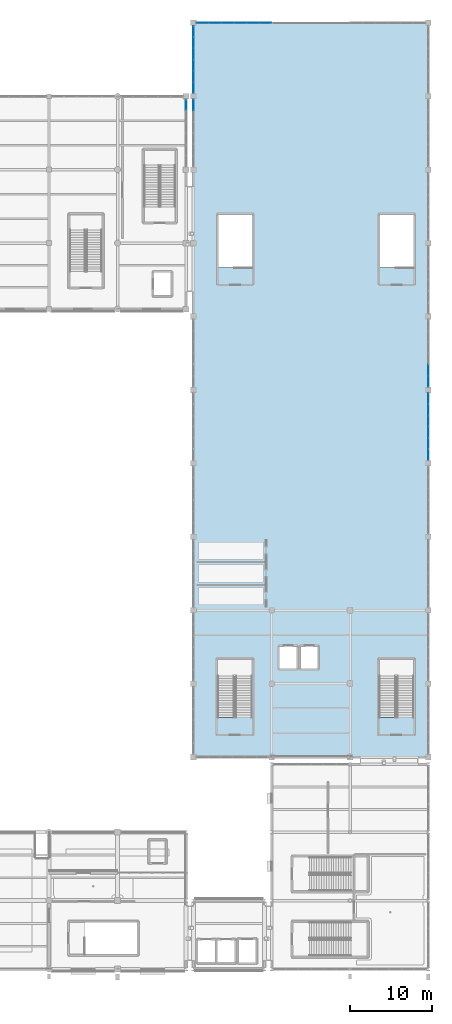
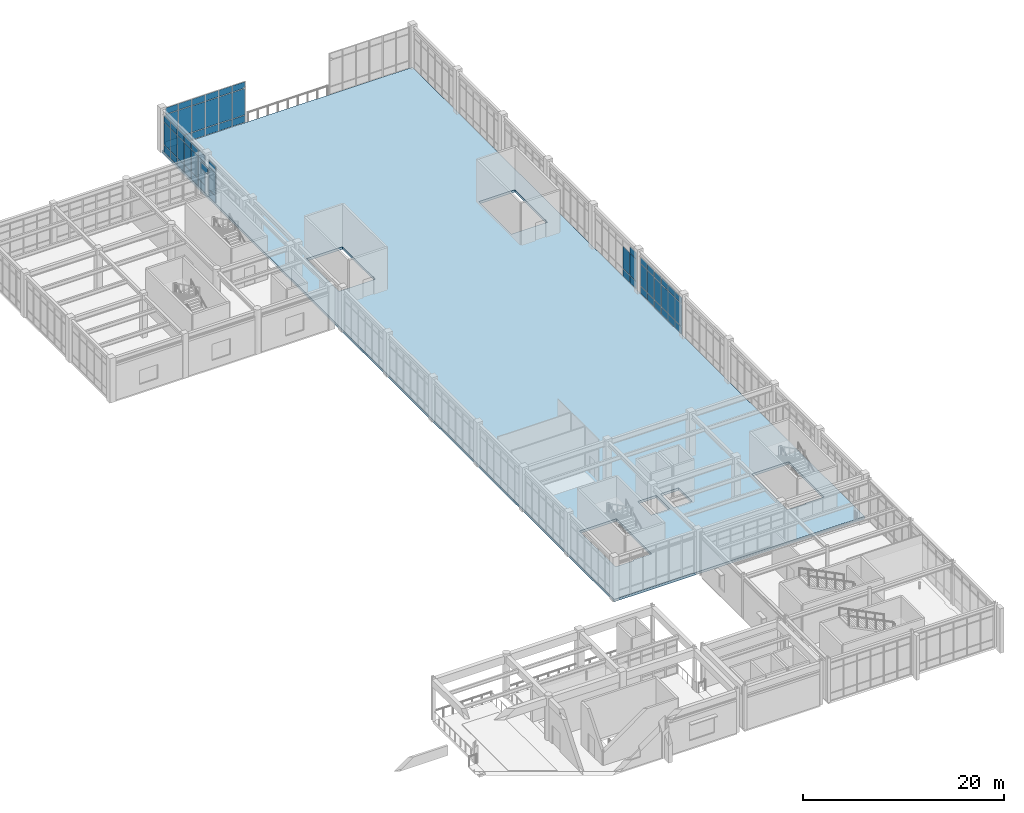
# One storey, part 62 of 80: 63 plates, 1 slab, 6 elements without a shape of their own.
"""IFC4 building model written with IfcOpenShell, lengths in metres."""

from ifc_helpers import new_model, si_unit, direction, frame, origin, origin_2d, place, context, subcontext, project, spatial, polyline, rectangle, outline, extrude, material, layer, layer_set, type_object, element, aggregate, save


model = new_model("IFC4")

# Units and contexts
model_context = context("Model", 3, precision=1e-05, world=origin(), true_north=direction((0.0, 1.0)))
body_context = subcontext(model_context, "Body", "Model", "MODEL_VIEW")
ifc_project = project(units=[si_unit("LENGTHUNIT", "METRE"), si_unit("AREAUNIT", "SQUARE_METRE"), si_unit("VOLUMEUNIT", "CUBIC_METRE"), si_unit("PLANEANGLEUNIT", "RADIAN"), si_unit("MASSUNIT", "GRAM", prefix="KILO")], contexts=[model_context])

# Site, building, storey
site_placement = place(None, origin())
site = spatial("IfcSite", under=ifc_project, at=site_placement, CompositionType="ELEMENT")
building_placement = place(site_placement, origin())
building = spatial("IfcBuilding", under=site, at=building_placement, Name="Canglan Escarpment Cableway Terminal", CompositionType="ELEMENT")
storey_placement = place(building_placement, frame((0.0, 0.0, 19.199951171875)))
storey = spatial("IfcBuildingStorey", under=building, at=storey_placement, Name="L04", CompositionType="ELEMENT", Elevation=19.199951171875)

# Curtain wall, plates
ifc_material_1 = material(Name="Anodized bronze aluminium and Low-E double glazing", Category="aluminium")
curtain_wall_type_1 = type_object("IfcCurtainWallType", Name="CW-BAY-8300x4550", PredefinedType="NOTDEFINED", material=ifc_material_1)
curtain_wall_1_placement = place(storey_placement, origin())
curtain_wall_1 = element("IfcCurtainWall", 1, at=curtain_wall_1_placement, inside=storey, type_object=curtain_wall_type_1, Name="Classical bay-between-piers glazed curtain wall CW-64", PredefinedType="NOTDEFINED")
ifc_material_2 = material(Name="Double-silver Low-E laminated insulating glass", Category="glass")
ifc_layer_1 = layer(ifc_material_2, 0.028076171875, Name="Double-silver Low-E laminated insulating glass")
ifc_layer_set_1 = layer_set([ifc_layer_1], Name="Double-silver Low-E laminated insulating glass")
plate_type_1 = type_object("IfcPlateType", Name="CWP-02", PredefinedType="CURTAIN_PANEL", material=ifc_layer_set_1)
plate_1_placement = place(storey_placement, frame((166.39990234375, 71.057861328125, 0.06494140625), z_axis=(0.0, 0.0, 1.0), x_axis=(0.0, 1.0, 0.0)))
plate_1 = element("IfcPlate", 2, at=plate_1_placement, type_object=plate_type_1, Name="CW-64 panel 1.1", PredefinedType="CURTAIN_PANEL", context=body_context, shape_type="SweptSolid", body=[
    extrude(rectangle(XDim=1.285888671875, YDim=0.028076171875, at=origin_2d()), origin(), (0.0, 0.0, 1.0), 0.8525390625),
])
plate_2_placement = place(storey_placement, frame((166.39990234375, 71.057861328125, 0.982421875), z_axis=(0.0, 0.0, 1.0), x_axis=(0.0, 1.0, 0.0)))
plate_2 = element("IfcPlate", 3, at=plate_2_placement, type_object=plate_type_1, Name="CW-64 panel 1.2", PredefinedType="CURTAIN_PANEL", context=body_context, shape_type="SweptSolid", body=[
    extrude(rectangle(XDim=1.285888671875, YDim=0.028076171875, at=origin_2d()), origin(), (0.0, 0.0, 1.0), 2.68603515625),
])
plate_3_placement = place(storey_placement, frame((166.39990234375, 71.057861328125, 3.733642578125), z_axis=(0.0, 0.0, 1.0), x_axis=(0.0, 1.0, 0.0)))
plate_3 = element("IfcPlate", 4, at=plate_3_placement, type_object=plate_type_1, Name="CW-64 panel 1.3", PredefinedType="CURTAIN_PANEL", context=body_context, shape_type="SweptSolid", body=[
    extrude(rectangle(XDim=1.285888671875, YDim=0.028076171875, at=origin_2d()), origin(), (0.0, 0.0, 1.0), 0.75244140625),
])
plate_4_placement = place(storey_placement, frame((166.39990234375, 72.425048828125, 0.06494140625), z_axis=(0.0, 0.0, 1.0), x_axis=(0.0, 1.0, 0.0)))
plate_4 = element("IfcPlate", 5, at=plate_4_placement, type_object=plate_type_1, Name="CW-64 panel 2.1", PredefinedType="CURTAIN_PANEL", context=body_context, shape_type="SweptSolid", body=[
    extrude(rectangle(XDim=1.318359375, YDim=0.028076171875, at=origin_2d()), origin(), (0.0, 0.0, 1.0), 0.8525390625),
])
plate_5_placement = place(storey_placement, frame((166.39990234375, 72.425048828125, 0.982421875), z_axis=(0.0, 0.0, 1.0), x_axis=(0.0, 1.0, 0.0)))
plate_5 = element("IfcPlate", 6, at=plate_5_placement, type_object=plate_type_1, Name="CW-64 panel 2.2", PredefinedType="CURTAIN_PANEL", context=body_context, shape_type="SweptSolid", body=[
    extrude(rectangle(XDim=1.318359375, YDim=0.028076171875, at=origin_2d()), origin(), (0.0, 0.0, 1.0), 2.68603515625),
])
plate_6_placement = place(storey_placement, frame((166.39990234375, 72.425048828125, 3.733642578125), z_axis=(0.0, 0.0, 1.0), x_axis=(0.0, 1.0, 0.0)))
plate_6 = element("IfcPlate", 7, at=plate_6_placement, type_object=plate_type_1, Name="CW-64 panel 2.3", PredefinedType="CURTAIN_PANEL", context=body_context, shape_type="SweptSolid", body=[
    extrude(rectangle(XDim=1.318359375, YDim=0.028076171875, at=origin_2d()), origin(), (0.0, 0.0, 1.0), 0.75244140625),
])
plate_7_placement = place(storey_placement, frame((166.39990234375, 73.808349609375, 0.06494140625), z_axis=(0.0, 0.0, 1.0), x_axis=(0.0, 1.0, 0.0)))
plate_7 = element("IfcPlate", 8, at=plate_7_placement, type_object=plate_type_1, Name="CW-64 panel 3.1", PredefinedType="CURTAIN_PANEL", context=body_context, shape_type="SweptSolid", body=[
    extrude(rectangle(XDim=1.318359375, YDim=0.028076171875, at=origin_2d()), origin(), (0.0, 0.0, 1.0), 0.8525390625),
])
plate_8_placement = place(storey_placement, frame((166.39990234375, 73.808349609375, 0.982421875), z_axis=(0.0, 0.0, 1.0), x_axis=(0.0, 1.0, 0.0)))
plate_8 = element("IfcPlate", 9, at=plate_8_placement, type_object=plate_type_1, Name="CW-64 panel 3.2", PredefinedType="CURTAIN_PANEL", context=body_context, shape_type="SweptSolid", body=[
    extrude(rectangle(XDim=1.318359375, YDim=0.028076171875, at=origin_2d()), origin(), (0.0, 0.0, 1.0), 2.68603515625),
])
plate_9_placement = place(storey_placement, frame((166.39990234375, 73.808349609375, 3.733642578125), z_axis=(0.0, 0.0, 1.0), x_axis=(0.0, 1.0, 0.0)))
plate_9 = element("IfcPlate", 10, at=plate_9_placement, type_object=plate_type_1, Name="CW-64 panel 3.3", PredefinedType="CURTAIN_PANEL", context=body_context, shape_type="SweptSolid", body=[
    extrude(rectangle(XDim=1.318359375, YDim=0.028076171875, at=origin_2d()), origin(), (0.0, 0.0, 1.0), 0.75244140625),
])
plate_10_placement = place(storey_placement, frame((166.39990234375, 75.191650390625, 0.06494140625), z_axis=(0.0, 0.0, 1.0), x_axis=(0.0, 1.0, 0.0)))
plate_10 = element("IfcPlate", 11, at=plate_10_placement, type_object=plate_type_1, Name="CW-64 panel 4.1", PredefinedType="CURTAIN_PANEL", context=body_context, shape_type="SweptSolid", body=[
    extrude(rectangle(XDim=1.318359375, YDim=0.028076171875, at=origin_2d()), origin(), (0.0, 0.0, 1.0), 0.8525390625),
])
plate_11_placement = place(storey_placement, frame((166.39990234375, 75.191650390625, 0.982421875), z_axis=(0.0, 0.0, 1.0), x_axis=(0.0, 1.0, 0.0)))
plate_11 = element("IfcPlate", 12, at=plate_11_placement, type_object=plate_type_1, Name="CW-64 panel 4.2", PredefinedType="CURTAIN_PANEL", context=body_context, shape_type="SweptSolid", body=[
    extrude(rectangle(XDim=1.318359375, YDim=0.028076171875, at=origin_2d()), origin(), (0.0, 0.0, 1.0), 2.68603515625),
])
plate_12_placement = place(storey_placement, frame((166.39990234375, 75.191650390625, 3.733642578125), z_axis=(0.0, 0.0, 1.0), x_axis=(0.0, 1.0, 0.0)))
plate_12 = element("IfcPlate", 13, at=plate_12_placement, type_object=plate_type_1, Name="CW-64 panel 4.3", PredefinedType="CURTAIN_PANEL", context=body_context, shape_type="SweptSolid", body=[
    extrude(rectangle(XDim=1.318359375, YDim=0.028076171875, at=origin_2d()), origin(), (0.0, 0.0, 1.0), 0.75244140625),
])
plate_13_placement = place(storey_placement, frame((166.39990234375, 76.574951171875, 0.06494140625), z_axis=(0.0, 0.0, 1.0), x_axis=(0.0, 1.0, 0.0)))
plate_13 = element("IfcPlate", 14, at=plate_13_placement, type_object=plate_type_1, Name="CW-64 panel 5.1", PredefinedType="CURTAIN_PANEL", context=body_context, shape_type="SweptSolid", body=[
    extrude(rectangle(XDim=1.318359375, YDim=0.028076171875, at=origin_2d()), origin(), (0.0, 0.0, 1.0), 0.8525390625),
])
plate_14_placement = place(storey_placement, frame((166.39990234375, 76.574951171875, 0.982421875), z_axis=(0.0, 0.0, 1.0), x_axis=(0.0, 1.0, 0.0)))
plate_14 = element("IfcPlate", 15, at=plate_14_placement, type_object=plate_type_1, Name="CW-64 panel 5.2", PredefinedType="CURTAIN_PANEL", context=body_context, shape_type="SweptSolid", body=[
    extrude(rectangle(XDim=1.318359375, YDim=0.028076171875, at=origin_2d()), origin(), (0.0, 0.0, 1.0), 2.68603515625),
])
plate_15_placement = place(storey_placement, frame((166.39990234375, 76.574951171875, 3.733642578125), z_axis=(0.0, 0.0, 1.0), x_axis=(0.0, 1.0, 0.0)))
plate_15 = element("IfcPlate", 16, at=plate_15_placement, type_object=plate_type_1, Name="CW-64 panel 5.3", PredefinedType="CURTAIN_PANEL", context=body_context, shape_type="SweptSolid", body=[
    extrude(rectangle(XDim=1.318359375, YDim=0.028076171875, at=origin_2d()), origin(), (0.0, 0.0, 1.0), 0.75244140625),
])
plate_16_placement = place(storey_placement, frame((166.39990234375, 77.942138671875, 0.06494140625), z_axis=(0.0, 0.0, 1.0), x_axis=(0.0, 1.0, 0.0)))
plate_16 = element("IfcPlate", 17, at=plate_16_placement, type_object=plate_type_1, Name="CW-64 panel 6.1", PredefinedType="CURTAIN_PANEL", context=body_context, shape_type="SweptSolid", body=[
    extrude(rectangle(XDim=1.285888671875, YDim=0.028076171875, at=origin_2d()), origin(), (0.0, 0.0, 1.0), 0.8525390625),
])
plate_17_placement = place(storey_placement, frame((166.39990234375, 77.942138671875, 0.982421875), z_axis=(0.0, 0.0, 1.0), x_axis=(0.0, 1.0, 0.0)))
plate_17 = element("IfcPlate", 18, at=plate_17_placement, type_object=plate_type_1, Name="CW-64 panel 6.2", PredefinedType="CURTAIN_PANEL", context=body_context, shape_type="SweptSolid", body=[
    extrude(rectangle(XDim=1.285888671875, YDim=0.028076171875, at=origin_2d()), origin(), (0.0, 0.0, 1.0), 2.68603515625),
])
plate_18_placement = place(storey_placement, frame((166.39990234375, 77.942138671875, 3.733642578125), z_axis=(0.0, 0.0, 1.0), x_axis=(0.0, 1.0, 0.0)))
plate_18 = element("IfcPlate", 19, at=plate_18_placement, type_object=plate_type_1, Name="CW-64 panel 6.3", PredefinedType="CURTAIN_PANEL", context=body_context, shape_type="SweptSolid", body=[
    extrude(rectangle(XDim=1.285888671875, YDim=0.028076171875, at=origin_2d()), origin(), (0.0, 0.0, 1.0), 0.75244140625),
])
aggregate(curtain_wall_1, [plate_1, plate_2, plate_3, plate_4, plate_5, plate_6, plate_7, plate_8, plate_9, plate_10, plate_11, plate_12, plate_13, plate_14, plate_15, plate_16, plate_17, plate_18])

curtain_wall_type_2 = type_object("IfcCurtainWallType", Name="CW-BAY-9250x5050", PredefinedType="NOTDEFINED", material=ifc_material_1)
curtain_wall_2_placement = place(storey_placement, origin())
curtain_wall_2 = element("IfcCurtainWall", 20, at=curtain_wall_2_placement, inside=storey, type_object=curtain_wall_type_2, Name="Classical bay-between-piers glazed curtain wall CW-40", PredefinedType="NOTDEFINED")
plate_19_placement = place(storey_placement, frame((146.412841796875, 124.0, 0.06005859375), z_axis=(0.0, 0.0, 1.0), x_axis=(-1.0, 0.0, 0.0)))
plate_19 = element("IfcPlate", 21, at=plate_19_placement, type_object=plate_type_1, Name="CW-40 panel 1.1", PredefinedType="CURTAIN_PANEL", context=body_context, shape_type="SweptSolid", body=[
    extrude(rectangle(XDim=1.444091796875, YDim=0.028076171875, at=origin_2d()), origin(), (0.0, 0.0, 1.0), 0.860107421875),
])
plate_20_placement = place(storey_placement, frame((146.412841796875, 124.0, 0.97998046875), z_axis=(0.0, 0.0, 1.0), x_axis=(-1.0, 0.0, 0.0)))
plate_20 = element("IfcPlate", 22, at=plate_20_placement, type_object=plate_type_1, Name="CW-40 panel 1.2", PredefinedType="CURTAIN_PANEL", context=body_context, shape_type="SweptSolid", body=[
    extrude(rectangle(XDim=1.444091796875, YDim=0.028076171875, at=origin_2d()), origin(), (0.0, 0.0, 1.0), 3.18994140625),
])
plate_21_placement = place(storey_placement, frame((146.412841796875, 124.0, 4.22998046875), z_axis=(0.0, 0.0, 1.0), x_axis=(-1.0, 0.0, 0.0)))
plate_21 = element("IfcPlate", 23, at=plate_21_placement, type_object=plate_type_1, Name="CW-40 panel 1.3", PredefinedType="CURTAIN_PANEL", context=body_context, shape_type="SweptSolid", body=[
    extrude(rectangle(XDim=1.444091796875, YDim=0.028076171875, at=origin_2d()), origin(), (0.0, 0.0, 1.0), 0.760009765625),
])
plate_22_placement = place(storey_placement, frame((144.887451171875, 124.0, 0.06005859375), z_axis=(0.0, 0.0, 1.0), x_axis=(-1.0, 0.0, 0.0)))
plate_22 = element("IfcPlate", 24, at=plate_22_placement, type_object=plate_type_1, Name="CW-40 panel 2.1", PredefinedType="CURTAIN_PANEL", context=body_context, shape_type="SweptSolid", body=[
    extrude(rectangle(XDim=1.4765625, YDim=0.028076171875, at=origin_2d()), origin(), (0.0, 0.0, 1.0), 0.860107421875),
])
plate_23_placement = place(storey_placement, frame((144.887451171875, 124.0, 0.97998046875), z_axis=(0.0, 0.0, 1.0), x_axis=(-1.0, 0.0, 0.0)))
plate_23 = element("IfcPlate", 25, at=plate_23_placement, type_object=plate_type_1, Name="CW-40 panel 2.2", PredefinedType="CURTAIN_PANEL", context=body_context, shape_type="SweptSolid", body=[
    extrude(rectangle(XDim=1.4765625, YDim=0.028076171875, at=origin_2d()), origin(), (0.0, 0.0, 1.0), 3.18994140625),
])
plate_24_placement = place(storey_placement, frame((144.887451171875, 124.0, 4.22998046875), z_axis=(0.0, 0.0, 1.0), x_axis=(-1.0, 0.0, 0.0)))
plate_24 = element("IfcPlate", 26, at=plate_24_placement, type_object=plate_type_1, Name="CW-40 panel 2.3", PredefinedType="CURTAIN_PANEL", context=body_context, shape_type="SweptSolid", body=[
    extrude(rectangle(XDim=1.4765625, YDim=0.028076171875, at=origin_2d()), origin(), (0.0, 0.0, 1.0), 0.760009765625),
])
plate_25_placement = place(storey_placement, frame((143.345947265625, 124.0, 0.06005859375), z_axis=(0.0, 0.0, 1.0), x_axis=(-1.0, 0.0, 0.0)))
plate_25 = element("IfcPlate", 27, at=plate_25_placement, type_object=plate_type_1, Name="CW-40 panel 3.1", PredefinedType="CURTAIN_PANEL", context=body_context, shape_type="SweptSolid", body=[
    extrude(rectangle(XDim=1.4765625, YDim=0.028076171875, at=origin_2d()), origin(), (0.0, 0.0, 1.0), 0.860107421875),
])
plate_26_placement = place(storey_placement, frame((143.345947265625, 124.0, 0.97998046875), z_axis=(0.0, 0.0, 1.0), x_axis=(-1.0, 0.0, 0.0)))
plate_26 = element("IfcPlate", 28, at=plate_26_placement, type_object=plate_type_1, Name="CW-40 panel 3.2", PredefinedType="CURTAIN_PANEL", context=body_context, shape_type="SweptSolid", body=[
    extrude(rectangle(XDim=1.4765625, YDim=0.028076171875, at=origin_2d()), origin(), (0.0, 0.0, 1.0), 3.18994140625),
])
plate_27_placement = place(storey_placement, frame((143.345947265625, 124.0, 4.22998046875), z_axis=(0.0, 0.0, 1.0), x_axis=(-1.0, 0.0, 0.0)))
plate_27 = element("IfcPlate", 29, at=plate_27_placement, type_object=plate_type_1, Name="CW-40 panel 3.3", PredefinedType="CURTAIN_PANEL", context=body_context, shape_type="SweptSolid", body=[
    extrude(rectangle(XDim=1.4765625, YDim=0.028076171875, at=origin_2d()), origin(), (0.0, 0.0, 1.0), 0.760009765625),
])
plate_28_placement = place(storey_placement, frame((141.80419921875, 124.0, 0.06005859375), z_axis=(0.0, 0.0, 1.0), x_axis=(-1.0, 0.0, 0.0)))
plate_28 = element("IfcPlate", 30, at=plate_28_placement, type_object=plate_type_1, Name="CW-40 panel 4.1", PredefinedType="CURTAIN_PANEL", context=body_context, shape_type="SweptSolid", body=[
    extrude(rectangle(XDim=1.4765625, YDim=0.028076171875, at=origin_2d()), origin(), (0.0, 0.0, 1.0), 0.860107421875),
])
plate_29_placement = place(storey_placement, frame((141.80419921875, 124.0, 0.97998046875), z_axis=(0.0, 0.0, 1.0), x_axis=(-1.0, 0.0, 0.0)))
plate_29 = element("IfcPlate", 31, at=plate_29_placement, type_object=plate_type_1, Name="CW-40 panel 4.2", PredefinedType="CURTAIN_PANEL", context=body_context, shape_type="SweptSolid", body=[
    extrude(rectangle(XDim=1.4765625, YDim=0.028076171875, at=origin_2d()), origin(), (0.0, 0.0, 1.0), 3.18994140625),
])
plate_30_placement = place(storey_placement, frame((141.80419921875, 124.0, 4.22998046875), z_axis=(0.0, 0.0, 1.0), x_axis=(-1.0, 0.0, 0.0)))
plate_30 = element("IfcPlate", 32, at=plate_30_placement, type_object=plate_type_1, Name="CW-40 panel 4.3", PredefinedType="CURTAIN_PANEL", context=body_context, shape_type="SweptSolid", body=[
    extrude(rectangle(XDim=1.4765625, YDim=0.028076171875, at=origin_2d()), origin(), (0.0, 0.0, 1.0), 0.760009765625),
])
plate_31_placement = place(storey_placement, frame((140.262451171875, 124.0, 0.06005859375), z_axis=(0.0, 0.0, 1.0), x_axis=(-1.0, 0.0, 0.0)))
plate_31 = element("IfcPlate", 33, at=plate_31_placement, type_object=plate_type_1, Name="CW-40 panel 5.1", PredefinedType="CURTAIN_PANEL", context=body_context, shape_type="SweptSolid", body=[
    extrude(rectangle(XDim=1.4765625, YDim=0.028076171875, at=origin_2d()), origin(), (0.0, 0.0, 1.0), 0.860107421875),
])
plate_32_placement = place(storey_placement, frame((140.262451171875, 124.0, 0.97998046875), z_axis=(0.0, 0.0, 1.0), x_axis=(-1.0, 0.0, 0.0)))
plate_32 = element("IfcPlate", 34, at=plate_32_placement, type_object=plate_type_1, Name="CW-40 panel 5.2", PredefinedType="CURTAIN_PANEL", context=body_context, shape_type="SweptSolid", body=[
    extrude(rectangle(XDim=1.4765625, YDim=0.028076171875, at=origin_2d()), origin(), (0.0, 0.0, 1.0), 3.18994140625),
])
plate_33_placement = place(storey_placement, frame((140.262451171875, 124.0, 4.22998046875), z_axis=(0.0, 0.0, 1.0), x_axis=(-1.0, 0.0, 0.0)))
plate_33 = element("IfcPlate", 35, at=plate_33_placement, type_object=plate_type_1, Name="CW-40 panel 5.3", PredefinedType="CURTAIN_PANEL", context=body_context, shape_type="SweptSolid", body=[
    extrude(rectangle(XDim=1.4765625, YDim=0.028076171875, at=origin_2d()), origin(), (0.0, 0.0, 1.0), 0.760009765625),
])
plate_34_placement = place(storey_placement, frame((138.737060546875, 124.0, 0.06005859375), z_axis=(0.0, 0.0, 1.0), x_axis=(-1.0, 0.0, 0.0)))
plate_34 = element("IfcPlate", 36, at=plate_34_placement, type_object=plate_type_1, Name="CW-40 panel 6.1", PredefinedType="CURTAIN_PANEL", context=body_context, shape_type="SweptSolid", body=[
    extrude(rectangle(XDim=1.444091796875, YDim=0.028076171875, at=origin_2d()), origin(), (0.0, 0.0, 1.0), 0.860107421875),
])
plate_35_placement = place(storey_placement, frame((138.737060546875, 124.0, 0.97998046875), z_axis=(0.0, 0.0, 1.0), x_axis=(-1.0, 0.0, 0.0)))
plate_35 = element("IfcPlate", 37, at=plate_35_placement, type_object=plate_type_1, Name="CW-40 panel 6.2", PredefinedType="CURTAIN_PANEL", context=body_context, shape_type="SweptSolid", body=[
    extrude(rectangle(XDim=1.444091796875, YDim=0.028076171875, at=origin_2d()), origin(), (0.0, 0.0, 1.0), 3.18994140625),
])
plate_36_placement = place(storey_placement, frame((138.737060546875, 124.0, 4.22998046875), z_axis=(0.0, 0.0, 1.0), x_axis=(-1.0, 0.0, 0.0)))
plate_36 = element("IfcPlate", 38, at=plate_36_placement, type_object=plate_type_1, Name="CW-40 panel 6.3", PredefinedType="CURTAIN_PANEL", context=body_context, shape_type="SweptSolid", body=[
    extrude(rectangle(XDim=1.444091796875, YDim=0.028076171875, at=origin_2d()), origin(), (0.0, 0.0, 1.0), 0.760009765625),
])
aggregate(curtain_wall_2, [plate_19, plate_20, plate_21, plate_22, plate_23, plate_24, plate_25, plate_26, plate_27, plate_28, plate_29, plate_30, plate_31, plate_32, plate_33, plate_34, plate_35, plate_36])

curtain_wall_3_placement = place(storey_placement, origin())
curtain_wall_3 = element("IfcCurtainWall", 39, at=curtain_wall_3_placement, inside=storey, type_object=curtain_wall_type_1, Name="Classical bay-between-piers glazed curtain wall CW-64", PredefinedType="NOTDEFINED")
plate_37_placement = place(storey_placement, frame((137.60009765625, 113.943359375, 0.05517578125), z_axis=(0.0, 0.0, 1.0), x_axis=(0.0, -1.0, 0.0)))
plate_37 = element("IfcPlate", 40, at=plate_37_placement, type_object=plate_type_1, Name="CW-64 panel 1.1", PredefinedType="CURTAIN_PANEL", context=body_context, shape_type="SweptSolid", body=[
    extrude(rectangle(XDim=1.293212890625, YDim=0.028076171875, at=origin_2d()), origin(), (0.0, 0.0, 1.0), 0.867431640625),
])
plate_38_placement = place(storey_placement, frame((137.60009765625, 113.943359375, 0.9775390625), z_axis=(0.0, 0.0, 1.0), x_axis=(0.0, -1.0, 0.0)))
plate_38 = element("IfcPlate", 41, at=plate_38_placement, type_object=plate_type_1, Name="CW-64 panel 1.2", PredefinedType="CURTAIN_PANEL", context=body_context, shape_type="SweptSolid", body=[
    extrude(rectangle(XDim=1.293212890625, YDim=0.028076171875, at=origin_2d()), origin(), (0.0, 0.0, 1.0), 2.696044921875),
])
plate_39_placement = place(storey_placement, frame((137.60009765625, 113.943359375, 3.728515625), z_axis=(0.0, 0.0, 1.0), x_axis=(0.0, -1.0, 0.0)))
plate_39 = element("IfcPlate", 42, at=plate_39_placement, type_object=plate_type_1, Name="CW-64 panel 1.3", PredefinedType="CURTAIN_PANEL", context=body_context, shape_type="SweptSolid", body=[
    extrude(rectangle(XDim=1.293212890625, YDim=0.028076171875, at=origin_2d()), origin(), (0.0, 0.0, 1.0), 0.767578125),
])
aggregate(curtain_wall_3, [plate_37, plate_38, plate_39])

# Curtain wall, plate
curtain_wall_type_3 = type_object("IfcCurtainWallType", Name="CW-BAY-8300x4650", PredefinedType="NOTDEFINED", material=ifc_material_1)
curtain_wall_4_placement = place(storey_placement, origin())
curtain_wall_4 = element("IfcCurtainWall", 43, at=curtain_wall_4_placement, inside=storey, type_object=curtain_wall_type_3, Name="Classical bay-between-piers glazed curtain wall CW-51", PredefinedType="NOTDEFINED")
ifc_layer_2 = layer(ifc_material_2, 0.031982421875, Name="Double-silver Low-E laminated insulating glass")
ifc_layer_set_2 = layer_set([ifc_layer_2], Name="Double-silver Low-E laminated insulating glass")
plate_type_2 = type_object("IfcPlateType", Name="CWP-03", PredefinedType="CURTAIN_PANEL", material=ifc_layer_set_2)
plate_40_placement = place(storey_placement, frame((136.699951171875, 113.942138671875, 3.839599609375), z_axis=(0.0, 0.0, 1.0), x_axis=(0.0, 1.0, 0.0)))
plate_40 = element("IfcPlate", 44, at=plate_40_placement, type_object=plate_type_2, Name="CW-51 panel 6.3", PredefinedType="CURTAIN_PANEL", context=body_context, shape_type="SweptSolid", body=[
    extrude(rectangle(XDim=1.285888671875, YDim=0.031982421875, at=origin_2d()), origin(), (0.0, 0.0, 1.0), 0.75244140625),
])
aggregate(curtain_wall_4, [plate_40])

# Curtain wall, plates
curtain_wall_5_placement = place(storey_placement, origin())
curtain_wall_5 = element("IfcCurtainWall", 45, at=curtain_wall_5_placement, inside=storey, type_object=curtain_wall_type_1, Name="Classical bay-between-piers glazed curtain wall CW-64", PredefinedType="NOTDEFINED")
plate_41_placement = place(storey_placement, frame((166.39990234375, 80.056640625, 0.05517578125), z_axis=(0.0, 0.0, 1.0), x_axis=(0.0, 1.0, 0.0)))
plate_41 = element("IfcPlate", 46, at=plate_41_placement, type_object=plate_type_2, Name="CW-64 panel 1.1", PredefinedType="CURTAIN_PANEL", context=body_context, shape_type="SweptSolid", body=[
    extrude(rectangle(XDim=1.293212890625, YDim=0.031982421875, at=origin_2d()), origin(), (0.0, 0.0, 1.0), 0.867431640625),
])
plate_42_placement = place(storey_placement, frame((166.39990234375, 80.056640625, 0.9775390625), z_axis=(0.0, 0.0, 1.0), x_axis=(0.0, 1.0, 0.0)))
plate_42 = element("IfcPlate", 47, at=plate_42_placement, type_object=plate_type_2, Name="CW-64 panel 1.2", PredefinedType="CURTAIN_PANEL", context=body_context, shape_type="SweptSolid", body=[
    extrude(rectangle(XDim=1.293212890625, YDim=0.031982421875, at=origin_2d()), origin(), (0.0, 0.0, 1.0), 2.696044921875),
])
plate_43_placement = place(storey_placement, frame((166.39990234375, 80.056640625, 3.728515625), z_axis=(0.0, 0.0, 1.0), x_axis=(0.0, 1.0, 0.0)))
plate_43 = element("IfcPlate", 48, at=plate_43_placement, type_object=plate_type_2, Name="CW-64 panel 1.3", PredefinedType="CURTAIN_PANEL", context=body_context, shape_type="SweptSolid", body=[
    extrude(rectangle(XDim=1.293212890625, YDim=0.031982421875, at=origin_2d()), origin(), (0.0, 0.0, 1.0), 0.767578125),
])
plate_44_placement = place(storey_placement, frame((166.39990234375, 81.425048828125, 0.05517578125), z_axis=(0.0, 0.0, 1.0), x_axis=(0.0, 1.0, 0.0)))
plate_44 = element("IfcPlate", 49, at=plate_44_placement, type_object=plate_type_2, Name="CW-64 panel 2.1", PredefinedType="CURTAIN_PANEL", context=body_context, shape_type="SweptSolid", body=[
    extrude(rectangle(XDim=1.3232421875, YDim=0.031982421875, at=origin_2d()), origin(), (0.0, 0.0, 1.0), 0.867431640625),
])
plate_45_placement = place(storey_placement, frame((166.39990234375, 81.425048828125, 0.9775390625), z_axis=(0.0, 0.0, 1.0), x_axis=(0.0, 1.0, 0.0)))
plate_45 = element("IfcPlate", 50, at=plate_45_placement, type_object=plate_type_2, Name="CW-64 panel 2.2", PredefinedType="CURTAIN_PANEL", context=body_context, shape_type="SweptSolid", body=[
    extrude(rectangle(XDim=1.3232421875, YDim=0.031982421875, at=origin_2d()), origin(), (0.0, 0.0, 1.0), 2.696044921875),
])
aggregate(curtain_wall_5, [plate_41, plate_42, plate_43, plate_44, plate_45])

curtain_wall_6_placement = place(storey_placement, origin())
curtain_wall_6 = element("IfcCurtainWall", 51, at=curtain_wall_6_placement, inside=storey, type_object=curtain_wall_type_1, Name="Classical bay-between-piers glazed curtain wall CW-64", PredefinedType="NOTDEFINED")
plate_46_placement = place(storey_placement, frame((137.60009765625, 122.942138671875, 0.06005859375), z_axis=(0.0, 0.0, 1.0), x_axis=(0.0, -1.0, 0.0)))
plate_46 = element("IfcPlate", 52, at=plate_46_placement, type_object=plate_type_2, Name="CW-64 panel 1.1", PredefinedType="CURTAIN_PANEL", context=body_context, shape_type="SweptSolid", body=[
    extrude(rectangle(XDim=1.285888671875, YDim=0.031982421875, at=origin_2d()), origin(), (0.0, 0.0, 1.0), 0.860107421875),
])
plate_47_placement = place(storey_placement, frame((137.60009765625, 122.942138671875, 0.97998046875), z_axis=(0.0, 0.0, 1.0), x_axis=(0.0, -1.0, 0.0)))
plate_47 = element("IfcPlate", 53, at=plate_47_placement, type_object=plate_type_2, Name="CW-64 panel 1.2", PredefinedType="CURTAIN_PANEL", context=body_context, shape_type="SweptSolid", body=[
    extrude(rectangle(XDim=1.285888671875, YDim=0.031982421875, at=origin_2d()), origin(), (0.0, 0.0, 1.0), 2.69091796875),
])
plate_48_placement = place(storey_placement, frame((137.60009765625, 122.942138671875, 3.73095703125), z_axis=(0.0, 0.0, 1.0), x_axis=(0.0, -1.0, 0.0)))
plate_48 = element("IfcPlate", 54, at=plate_48_placement, type_object=plate_type_2, Name="CW-64 panel 1.3", PredefinedType="CURTAIN_PANEL", context=body_context, shape_type="SweptSolid", body=[
    extrude(rectangle(XDim=1.285888671875, YDim=0.031982421875, at=origin_2d()), origin(), (0.0, 0.0, 1.0), 0.760009765625),
])
plate_49_placement = place(storey_placement, frame((137.60009765625, 121.574951171875, 0.06005859375), z_axis=(0.0, 0.0, 1.0), x_axis=(0.0, -1.0, 0.0)))
plate_49 = element("IfcPlate", 55, at=plate_49_placement, type_object=plate_type_2, Name="CW-64 panel 2.1", PredefinedType="CURTAIN_PANEL", context=body_context, shape_type="SweptSolid", body=[
    extrude(rectangle(XDim=1.318359375, YDim=0.031982421875, at=origin_2d()), origin(), (0.0, 0.0, 1.0), 0.860107421875),
])
plate_50_placement = place(storey_placement, frame((137.60009765625, 121.574951171875, 0.97998046875), z_axis=(0.0, 0.0, 1.0), x_axis=(0.0, -1.0, 0.0)))
plate_50 = element("IfcPlate", 56, at=plate_50_placement, type_object=plate_type_2, Name="CW-64 panel 2.2", PredefinedType="CURTAIN_PANEL", context=body_context, shape_type="SweptSolid", body=[
    extrude(rectangle(XDim=1.318359375, YDim=0.031982421875, at=origin_2d()), origin(), (0.0, 0.0, 1.0), 2.69091796875),
])
plate_51_placement = place(storey_placement, frame((137.60009765625, 121.574951171875, 3.73095703125), z_axis=(0.0, 0.0, 1.0), x_axis=(0.0, -1.0, 0.0)))
plate_51 = element("IfcPlate", 57, at=plate_51_placement, type_object=plate_type_2, Name="CW-64 panel 2.3", PredefinedType="CURTAIN_PANEL", context=body_context, shape_type="SweptSolid", body=[
    extrude(rectangle(XDim=1.318359375, YDim=0.031982421875, at=origin_2d()), origin(), (0.0, 0.0, 1.0), 0.760009765625),
])
plate_52_placement = place(storey_placement, frame((137.60009765625, 120.191650390625, 0.06005859375), z_axis=(0.0, 0.0, 1.0), x_axis=(0.0, -1.0, 0.0)))
plate_52 = element("IfcPlate", 58, at=plate_52_placement, type_object=plate_type_2, Name="CW-64 panel 3.1", PredefinedType="CURTAIN_PANEL", context=body_context, shape_type="SweptSolid", body=[
    extrude(rectangle(XDim=1.318359375, YDim=0.031982421875, at=origin_2d()), origin(), (0.0, 0.0, 1.0), 0.860107421875),
])
plate_53_placement = place(storey_placement, frame((137.60009765625, 120.191650390625, 0.97998046875), z_axis=(0.0, 0.0, 1.0), x_axis=(0.0, -1.0, 0.0)))
plate_53 = element("IfcPlate", 59, at=plate_53_placement, type_object=plate_type_2, Name="CW-64 panel 3.2", PredefinedType="CURTAIN_PANEL", context=body_context, shape_type="SweptSolid", body=[
    extrude(rectangle(XDim=1.318359375, YDim=0.031982421875, at=origin_2d()), origin(), (0.0, 0.0, 1.0), 2.69091796875),
])
plate_54_placement = place(storey_placement, frame((137.60009765625, 120.191650390625, 3.73095703125), z_axis=(0.0, 0.0, 1.0), x_axis=(0.0, -1.0, 0.0)))
plate_54 = element("IfcPlate", 60, at=plate_54_placement, type_object=plate_type_2, Name="CW-64 panel 3.3", PredefinedType="CURTAIN_PANEL", context=body_context, shape_type="SweptSolid", body=[
    extrude(rectangle(XDim=1.318359375, YDim=0.031982421875, at=origin_2d()), origin(), (0.0, 0.0, 1.0), 0.760009765625),
])
plate_55_placement = place(storey_placement, frame((137.60009765625, 118.808349609375, 0.06005859375), z_axis=(0.0, 0.0, 1.0), x_axis=(0.0, -1.0, 0.0)))
plate_55 = element("IfcPlate", 61, at=plate_55_placement, type_object=plate_type_2, Name="CW-64 panel 4.1", PredefinedType="CURTAIN_PANEL", context=body_context, shape_type="SweptSolid", body=[
    extrude(rectangle(XDim=1.318359375, YDim=0.031982421875, at=origin_2d()), origin(), (0.0, 0.0, 1.0), 0.860107421875),
])
plate_56_placement = place(storey_placement, frame((137.60009765625, 118.808349609375, 0.97998046875), z_axis=(0.0, 0.0, 1.0), x_axis=(0.0, -1.0, 0.0)))
plate_56 = element("IfcPlate", 62, at=plate_56_placement, type_object=plate_type_2, Name="CW-64 panel 4.2", PredefinedType="CURTAIN_PANEL", context=body_context, shape_type="SweptSolid", body=[
    extrude(rectangle(XDim=1.318359375, YDim=0.031982421875, at=origin_2d()), origin(), (0.0, 0.0, 1.0), 2.69091796875),
])
plate_57_placement = place(storey_placement, frame((137.60009765625, 118.808349609375, 3.73095703125), z_axis=(0.0, 0.0, 1.0), x_axis=(0.0, -1.0, 0.0)))
plate_57 = element("IfcPlate", 63, at=plate_57_placement, type_object=plate_type_2, Name="CW-64 panel 4.3", PredefinedType="CURTAIN_PANEL", context=body_context, shape_type="SweptSolid", body=[
    extrude(rectangle(XDim=1.318359375, YDim=0.031982421875, at=origin_2d()), origin(), (0.0, 0.0, 1.0), 0.760009765625),
])
plate_58_placement = place(storey_placement, frame((137.60009765625, 117.425048828125, 0.06005859375), z_axis=(0.0, 0.0, 1.0), x_axis=(0.0, -1.0, 0.0)))
plate_58 = element("IfcPlate", 64, at=plate_58_placement, type_object=plate_type_2, Name="CW-64 panel 5.1", PredefinedType="CURTAIN_PANEL", context=body_context, shape_type="SweptSolid", body=[
    extrude(rectangle(XDim=1.318359375, YDim=0.031982421875, at=origin_2d()), origin(), (0.0, 0.0, 1.0), 0.860107421875),
])
plate_59_placement = place(storey_placement, frame((137.60009765625, 117.425048828125, 0.97998046875), z_axis=(0.0, 0.0, 1.0), x_axis=(0.0, -1.0, 0.0)))
plate_59 = element("IfcPlate", 65, at=plate_59_placement, type_object=plate_type_2, Name="CW-64 panel 5.2", PredefinedType="CURTAIN_PANEL", context=body_context, shape_type="SweptSolid", body=[
    extrude(rectangle(XDim=1.318359375, YDim=0.031982421875, at=origin_2d()), origin(), (0.0, 0.0, 1.0), 2.69091796875),
])
plate_60_placement = place(storey_placement, frame((137.60009765625, 117.425048828125, 3.73095703125), z_axis=(0.0, 0.0, 1.0), x_axis=(0.0, -1.0, 0.0)))
plate_60 = element("IfcPlate", 66, at=plate_60_placement, type_object=plate_type_2, Name="CW-64 panel 5.3", PredefinedType="CURTAIN_PANEL", context=body_context, shape_type="SweptSolid", body=[
    extrude(rectangle(XDim=1.318359375, YDim=0.031982421875, at=origin_2d()), origin(), (0.0, 0.0, 1.0), 0.760009765625),
])
plate_61_placement = place(storey_placement, frame((137.60009765625, 116.057861328125, 0.06005859375), z_axis=(0.0, 0.0, 1.0), x_axis=(0.0, -1.0, 0.0)))
plate_61 = element("IfcPlate", 67, at=plate_61_placement, type_object=plate_type_2, Name="CW-64 panel 6.1", PredefinedType="CURTAIN_PANEL", context=body_context, shape_type="SweptSolid", body=[
    extrude(rectangle(XDim=1.285888671875, YDim=0.031982421875, at=origin_2d()), origin(), (0.0, 0.0, 1.0), 0.860107421875),
])
plate_62_placement = place(storey_placement, frame((137.60009765625, 116.057861328125, 0.97998046875), z_axis=(0.0, 0.0, 1.0), x_axis=(0.0, -1.0, 0.0)))
plate_62 = element("IfcPlate", 68, at=plate_62_placement, type_object=plate_type_2, Name="CW-64 panel 6.2", PredefinedType="CURTAIN_PANEL", context=body_context, shape_type="SweptSolid", body=[
    extrude(rectangle(XDim=1.285888671875, YDim=0.031982421875, at=origin_2d()), origin(), (0.0, 0.0, 1.0), 2.69091796875),
])
plate_63_placement = place(storey_placement, frame((137.60009765625, 116.057861328125, 3.73095703125), z_axis=(0.0, 0.0, 1.0), x_axis=(0.0, -1.0, 0.0)))
plate_63 = element("IfcPlate", 69, at=plate_63_placement, type_object=plate_type_2, Name="CW-64 panel 6.3", PredefinedType="CURTAIN_PANEL", context=body_context, shape_type="SweptSolid", body=[
    extrude(rectangle(XDim=1.285888671875, YDim=0.031982421875, at=origin_2d()), origin(), (0.0, 0.0, 1.0), 0.760009765625),
])
aggregate(curtain_wall_6, [plate_46, plate_47, plate_48, plate_49, plate_50, plate_51, plate_52, plate_53, plate_54, plate_55, plate_56, plate_57, plate_58, plate_59, plate_60, plate_61, plate_62, plate_63])

# Slab
ifc_material_3 = material(Name="Concrete C40", Category="concrete")
ifc_layer_3 = layer(ifc_material_3, 0.300048828125, Name="Concrete C40")
ifc_layer_set_3 = layer_set([ifc_layer_3], Name="Concrete C40")
slab_type = type_object("IfcSlabType", Name="SLB-FLR-300", PredefinedType="FLOOR", material=ifc_layer_set_3)
slab_placement = place(storey_placement, frame((0.0, 0.0, -0.300048828125)))
element("IfcSlab", 70, at=slab_placement, inside=storey, type_object=slab_type, Name="Suspended structural floor slab L04", PredefinedType="FLOOR", context=body_context, shape_type="SweptSolid", body=[
    extrude(outline(polyline([(137.60009765625, 34.0), (166.39990234375, 34.0), (166.39990234375, 124.0), (137.60009765625, 124.0), (137.60009765625, 34.0)]), holes=[polyline([(140.550048828125, 46.0), (142.60009765625, 46.0), (142.6201171875, 46.0), (144.800048828125, 46.0), (144.800048828125, 38.969970703125), (142.6201171875, 38.969970703125), (142.6201171875, 38.85595703125), (140.550048828125, 38.85595703125), (140.550048828125, 46.0)]), polyline([(162.39990234375, 46.0), (162.419921875, 46.0), (164.60009765625, 46.0), (164.60009765625, 38.969970703125), (162.419921875, 38.969970703125), (162.419921875, 38.85595703125), (160.35009765625, 38.85595703125), (160.35009765625, 46.0), (162.39990234375, 46.0)]), polyline([(150.25, 47.550048828125), (150.25, 44.85009765625), (148.14990234375, 44.85009765625), (148.14990234375, 47.550048828125), (150.25, 47.550048828125)]), polyline([(150.75, 47.550048828125), (152.85009765625, 47.550048828125), (152.85009765625, 44.85009765625), (150.75, 44.85009765625), (150.75, 47.550048828125)]), polyline([(142.64990234375, 94.006103515625), (140.64990234375, 94.006103515625), (140.64990234375, 100.5), (142.64990234375, 100.5), (142.669921875, 100.5), (144.800048828125, 100.5), (144.800048828125, 94.0), (142.64990234375, 94.0), (142.64990234375, 94.006103515625)]), polyline([(162.449951171875, 94.006103515625), (160.449951171875, 94.006103515625), (160.449951171875, 100.5), (162.449951171875, 100.5), (162.469970703125, 100.5), (164.60009765625, 100.5), (164.60009765625, 94.0), (162.449951171875, 94.0), (162.449951171875, 94.006103515625)])]), origin(), (0.0, 0.0, 1.0), 0.300048828125),
])

save(model, "model.ifc")
